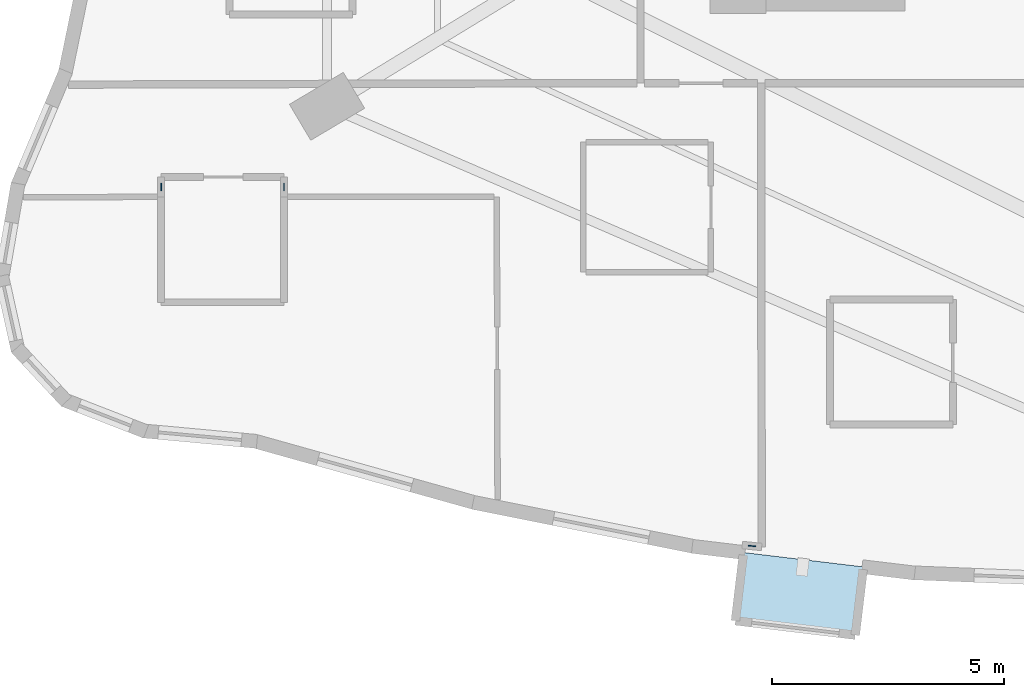
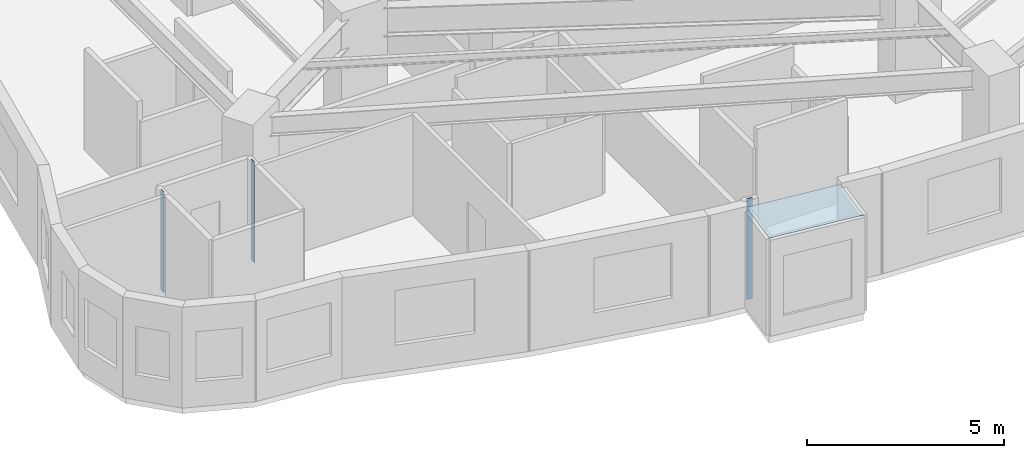
# One storey, part 2 of 13: 4 plates.
"""IFC4 building model written with IfcOpenShell, lengths in metres."""

from ifc_helpers import new_model, si_unit, direction, frame, origin, origin_2d, place, context, subcontext, project, spatial, polyline, rectangle, outline, extrude, material, layer, layer_set, type_object, element, save


model = new_model("IFC4")

# Units and contexts
model_context = context("Model", 3, precision=1e-05, world=origin(), true_north=direction((0.0, 1.0)))
body_context = subcontext(model_context, "Body", "Model", "MODEL_VIEW")
ifc_project = project(units=[si_unit("LENGTHUNIT", "METRE"), si_unit("AREAUNIT", "SQUARE_METRE"), si_unit("VOLUMEUNIT", "CUBIC_METRE"), si_unit("PLANEANGLEUNIT", "RADIAN"), si_unit("MASSUNIT", "GRAM", prefix="KILO")], contexts=[model_context])

# Site, building, storey
site_placement = place(None, origin())
site = spatial("IfcSite", under=ifc_project, at=site_placement, CompositionType="ELEMENT")
building_placement = place(site_placement, origin())
building = spatial("IfcBuilding", under=site, at=building_placement, Name="Miruveldt Soraemaru", CompositionType="ELEMENT")
storey_placement = place(building_placement, frame((0.0, 0.0, 70.0)))
storey = spatial("IfcBuildingStorey", under=building, at=storey_placement, Name="L19", CompositionType="ELEMENT", Elevation=70.0)

# Plates
ifc_material_1 = material(Name="Anodised aluminium EN AW-6063 T6", Category="aluminium")
ifc_layer_1 = layer(ifc_material_1, 0.02001953125, Name="Anodised aluminium EN AW-6063 T6", Category="aluminium")
ifc_layer_set_1 = layer_set([ifc_layer_1], Name="Anodised aluminium EN AW-6063 T6")
plate_type_1 = type_object("IfcPlateType", Name="PLT-PART-TRIM", PredefinedType="SHEET", material=ifc_layer_set_1)
for number, where, z_axis, x_axis, name in (
    (1, (25.717041015625, 31.16357421875, 0.0), (0.0, 0.0, 1.0), (0.0, 1.0, 0.0), "L19 Partition Step Corner Trim Plate 079"),
    (2, (23.06689453125, 31.16357421875, 0.0), (0.0, 0.0, 1.0), (0.0, -1.0, 0.0), "L19 Partition Step Corner Trim Plate 081"),
    (3, (35.80029296875, 23.4248046875, 0.0), (0.0, 0.0, 1.0), (-0.994612734963, 0.103660539498, 0.0), "L19 Partition Step Corner Trim Plate 001"),
):
    element("IfcPlate", number, at=place(storey_placement, frame(where, z_axis=z_axis, x_axis=x_axis)), inside=storey, type_object=plate_type_1, Name=name, PredefinedType="SHEET", context=body_context, shape_type="SweptSolid", body=[
        extrude(rectangle(XDim=0.159912109375, YDim=0.02001953125, at=origin_2d()), origin(), (0.0, 0.0, 1.0), 3.125),
    ])
ifc_material_2 = material(Name="Standing-seam titanium-zinc sheet", Category="aluminium")
ifc_layer_2 = layer(ifc_material_2, 0.011962890625, Name="Standing-seam titanium-zinc sheet", Category="aluminium")
ifc_layer_set_2 = layer_set([ifc_layer_2], Name="Standing-seam titanium-zinc sheet")
plate_type_2 = type_object("IfcPlateType", Name="PLT-ZINC-12", PredefinedType="SHEET", material=ifc_layer_set_2)
plate_placement = place(storey_placement, frame((0.0, 0.0, 2.97509765625)))
element("IfcPlate", 4, at=plate_placement, inside=storey, type_object=plate_type_2, Name="L19 Bay Window Zinc Hood Sheet 3", PredefinedType="SHEET", context=body_context, shape_type="SweptSolid", body=[
    extrude(outline(polyline([(35.62158203125, 23.283935546875), (38.203125, 22.97412109375), (38.02685546875, 21.504638671875), (35.4453125, 21.814453125), (35.62158203125, 23.283935546875)])), origin(), (0.0, 0.0, 1.0), 0.011962890625),
])

save(model, "model.ifc")
